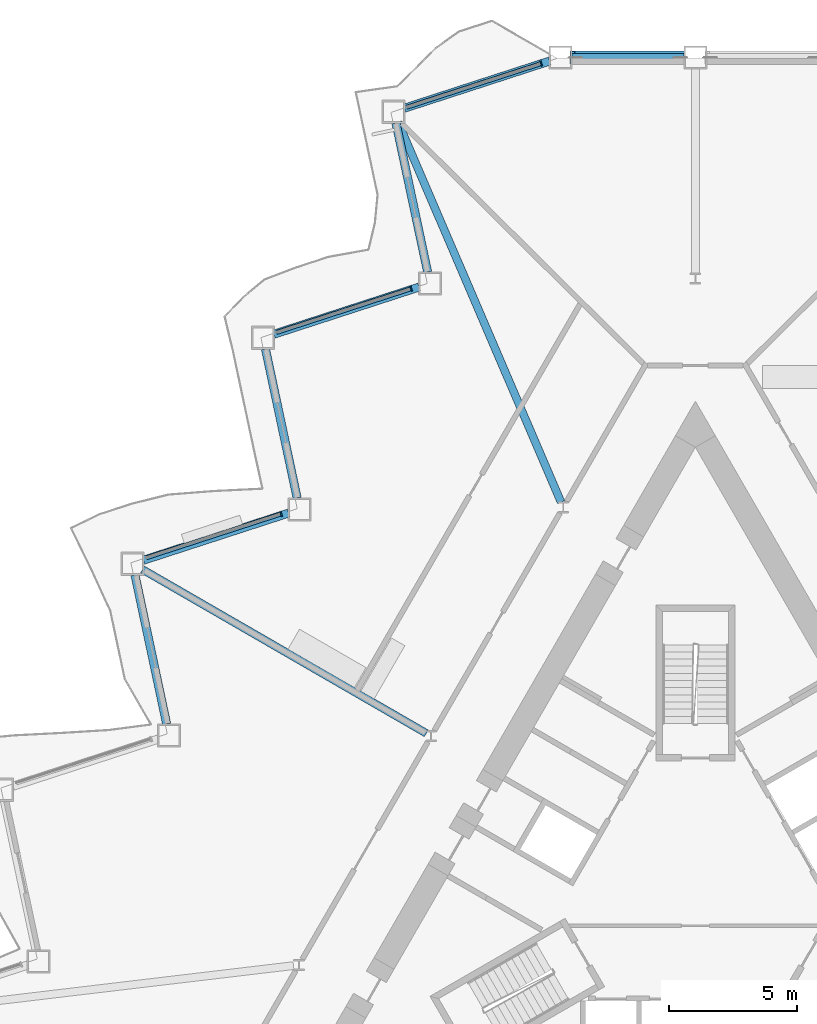
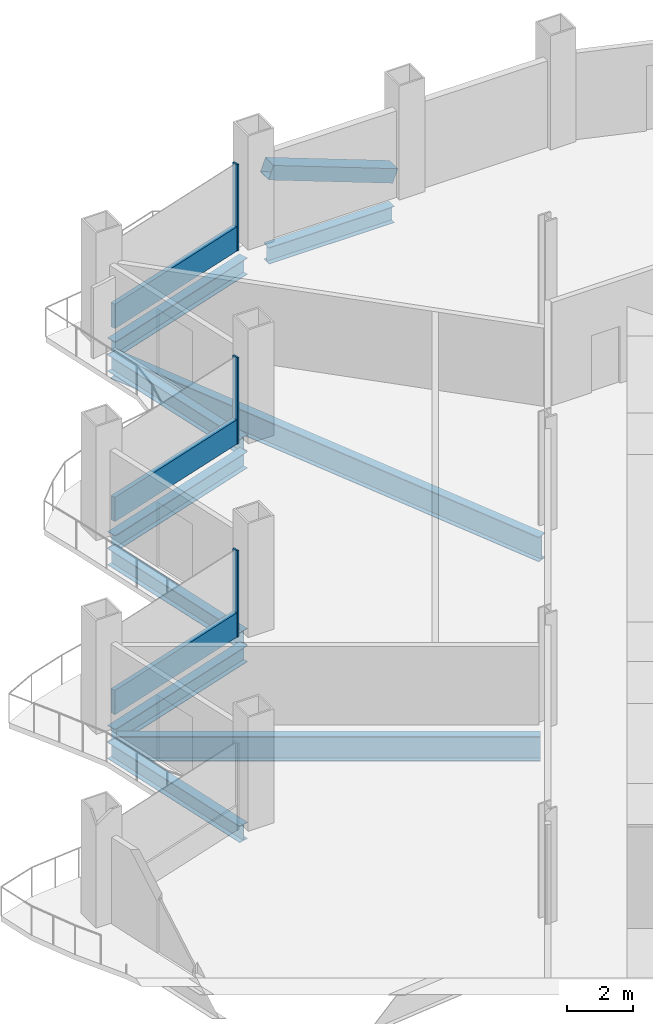
# One storey, part 7 of 21: 9 beams, 7 members, 3 elements without a shape of their own.
"""IFC4 building model written with IfcOpenShell, lengths in metres."""

from ifc_helpers import new_model, si_unit, direction, frame, origin, origin_2d, place, context, subcontext, project, spatial, rectangle, hollow_rectangle, i_section, extrude, material, layer, layer_set, material_profile, profile_set, type_object, element, aggregate, save


model = new_model("IFC4")

# Units and contexts
model_context = context("Model", 3, precision=1e-05, world=origin(), true_north=direction((0.0, 1.0)))
body_context = subcontext(model_context, "Body", "Model", "MODEL_VIEW")
ifc_project = project(units=[si_unit("LENGTHUNIT", "METRE"), si_unit("AREAUNIT", "SQUARE_METRE"), si_unit("VOLUMEUNIT", "CUBIC_METRE"), si_unit("PLANEANGLEUNIT", "RADIAN"), si_unit("MASSUNIT", "GRAM", prefix="KILO")], contexts=[model_context])

# Site, building, storey
site_placement = place(None, origin())
site = spatial("IfcSite", under=ifc_project, at=site_placement, CompositionType="ELEMENT")
building_placement = place(site_placement, origin())
building = spatial("IfcBuilding", under=site, at=building_placement, Name="Cormorant Prow Tower", CompositionType="ELEMENT")
storey_placement = place(building_placement, frame((0.0, 0.0, 145.800048828125)))
storey = spatial("IfcBuildingStorey", under=building, at=storey_placement, Name="L31", CompositionType="ELEMENT", Elevation=145.800048828125)

# Member
ifc_material_1 = material(Name="Structural steel ASTM A500 Gr C", Category="steel")
ifc_material_profile_1 = material_profile(ifc_material_1, hollow_rectangle(XDim=0.508056640625, YDim=0.508056640625, WallThickness=0.014892578125, at=origin_2d()), Name="HSS20x20x5/8")
ifc_profile_set_1 = profile_set([ifc_material_profile_1], Name="Structural steel ASTM A500 Gr C")
member_type_1 = type_object("IfcMemberType", Name="Chamfer brace HSS20x20x5/8", PredefinedType="BRACE", material=ifc_profile_set_1)
member_1_placement = place(storey_placement, frame((-0.4677734375, 32.487060546875, 0.776611328125), z_axis=(-0.935582009332, 0.0, 0.353109478511), x_axis=(0.0, -1.0, 0.0)))
element("IfcMember", 1, at=member_1_placement, inside=storey, type_object=member_type_1, Name="Chamfer brace BR1 at N01 L31", PredefinedType="BRACE", context=body_context, shape_type="SweptSolid", body=[
    extrude(hollow_rectangle(XDim=0.508056640625, YDim=0.508056640625, WallThickness=0.014892578125, at=origin_2d()), origin(), (0.0, 0.0, 1.0), 4.63232421875),
])

# Curtain wall, member
ifc_material_2 = material(Name="Aluminium 6063-T6", Category="aluminium")
ifc_layer = layer(ifc_material_2, 0.199951171875)
ifc_layer_set = layer_set([ifc_layer], Name="Aluminium 6063-T6")
curtain_wall_type = type_object("IfcCurtainWallType", Name="Office unitised curtain wall 200", PredefinedType="NOTDEFINED", material=ifc_layer_set)
curtain_wall_1_placement = place(storey_placement, origin())
curtain_wall_1 = element("IfcCurtainWall", 2, at=curtain_wall_1_placement, inside=storey, type_object=curtain_wall_type, Name="Office curtain wall WNW00", PredefinedType="NOTDEFINED")
ifc_material_3 = material(Name="Aluminium 6063-T6", Category="aluminium")
ifc_material_profile_2 = material_profile(ifc_material_3, rectangle(XDim=0.199951171875, YDim=0.06005859375, at=origin_2d()), Name="Office mullion 60x200")
ifc_profile_set_2 = profile_set([ifc_material_profile_2], Name="Aluminium 6063-T6")
member_type_2 = type_object("IfcMemberType", Name="Office mullion 60x200", PredefinedType="MULLION", material=ifc_profile_set_2)
member_2_placement = place(storey_placement, frame((-6.03125, 32.248291015625, 0.0), z_axis=(0.0, 0.0, 1.0), x_axis=(0.30901701036, -0.951056511101, 0.0)))
member_2 = element("IfcMember", 3, at=member_2_placement, type_object=member_type_2, Name="Office mullion WNW00", PredefinedType="MULLION", context=body_context, shape_type="SweptSolid", body=[
    extrude(rectangle(XDim=0.199951171875, YDim=0.06005859375, at=origin_2d()), origin(), (0.0, 0.0, 1.0), 3.18896484375),
])

curtain_wall_2_placement = place(storey_placement, origin())
curtain_wall_2 = element("IfcCurtainWall", 4, at=curtain_wall_2_placement, inside=storey, type_object=curtain_wall_type, Name="Office curtain wall WNW02", PredefinedType="NOTDEFINED")
member_3_placement = place(storey_placement, frame((-11.112548828125, 23.447021484375, 0.0), z_axis=(0.0, 0.0, 1.0), x_axis=(0.30901701036, -0.951056511101, 0.0)))
member_3 = element("IfcMember", 5, at=member_3_placement, type_object=member_type_2, Name="Office mullion WNW02", PredefinedType="MULLION", context=body_context, shape_type="SweptSolid", body=[
    extrude(rectangle(XDim=0.199951171875, YDim=0.06005859375, at=origin_2d()), origin(), (0.0, 0.0, 1.0), 3.18896484375),
])

curtain_wall_3_placement = place(storey_placement, origin())
curtain_wall_3 = element("IfcCurtainWall", 6, at=curtain_wall_3_placement, inside=storey, type_object=curtain_wall_type, Name="Office curtain wall WNW04", PredefinedType="NOTDEFINED")
member_4_placement = place(storey_placement, frame((-16.194091796875, 14.645751953125, 0.0), z_axis=(0.0, 0.0, 1.0), x_axis=(0.30901701036, -0.951056511101, 0.0)))
member_4 = element("IfcMember", 7, at=member_4_placement, type_object=member_type_2, Name="Office mullion WNW04", PredefinedType="MULLION", context=body_context, shape_type="SweptSolid", body=[
    extrude(rectangle(XDim=0.199951171875, YDim=0.06005859375, at=origin_2d()), origin(), (0.0, 0.0, 1.0), 3.18896484375),
])

# Member
ifc_material_4 = material(Name="Terracotta", Category="masonry")
ifc_material_profile_3 = material_profile(ifc_material_4, rectangle(XDim=0.159912109375, YDim=0.89990234375, at=origin_2d()), Name="Office terracotta spandrel rail 160x900")
ifc_profile_set_3 = profile_set([ifc_material_profile_3], Name="Terracotta")
member_type_3 = type_object("IfcMemberType", Name="Office terracotta spandrel rail 160x900", PredefinedType="USERDEFINED", material=ifc_profile_set_3)
member_5_placement = place(storey_placement, frame((-6.059814453125, 32.239013671875, 0.449951171875), z_axis=(-0.951054921763, -0.309021901798, 0.0), x_axis=(0.309021901798, -0.951054921763, 0.0)))
member_5 = element("IfcMember", 8, at=member_5_placement, type_object=member_type_3, Name="Office spandrel rail WNW00", ObjectType="TRANSOM", PredefinedType="USERDEFINED", context=body_context, shape_type="SweptSolid", body=[
    extrude(rectangle(XDim=0.159912109375, YDim=0.89990234375, at=origin_2d()), origin(), (0.0, 0.0, 1.0), 5.505859375),
])

aggregate(curtain_wall_1, [member_2, member_5])

member_6_placement = place(storey_placement, frame((-11.14111328125, 23.437744140625, 0.449951171875), z_axis=(-0.951054921763, -0.309021901798, 0.0), x_axis=(0.309021901798, -0.951054921763, 0.0)))
member_6 = element("IfcMember", 9, at=member_6_placement, type_object=member_type_3, Name="Office spandrel rail WNW02", ObjectType="TRANSOM", PredefinedType="USERDEFINED", context=body_context, shape_type="SweptSolid", body=[
    extrude(rectangle(XDim=0.159912109375, YDim=0.89990234375, at=origin_2d()), origin(), (0.0, 0.0, 1.0), 5.505859375),
])

aggregate(curtain_wall_2, [member_3, member_6])

member_7_placement = place(storey_placement, frame((-16.22265625, 14.636474609375, 0.449951171875), z_axis=(-0.951054921763, -0.309021901798, 0.0), x_axis=(0.309021901798, -0.951054921763, 0.0)))
member_7 = element("IfcMember", 10, at=member_7_placement, type_object=member_type_3, Name="Office spandrel rail WNW04", ObjectType="TRANSOM", PredefinedType="USERDEFINED", context=body_context, shape_type="SweptSolid", body=[
    extrude(rectangle(XDim=0.159912109375, YDim=0.89990234375, at=origin_2d()), origin(), (0.0, 0.0, 1.0), 5.505859375),
])

aggregate(curtain_wall_3, [member_4, member_7])

# Beams
ifc_material_5 = material(Name="Structural steel ASTM A992 Gr 50", Category="steel")
ifc_material_profile_4 = material_profile(ifc_material_5, i_section(OverallWidth=0.3046875, OverallDepth=0.914794921875, WebThickness=0.0166015625, FlangeThickness=0.02587890625, at=origin_2d()), Name="W36x160")
ifc_profile_set_4 = profile_set([ifc_material_profile_4], Name="Structural steel ASTM A992 Gr 50")
beam_type_1 = type_object("IfcBeamType", Name="Radial floor beam W36x160", PredefinedType="BEAM", material=ifc_profile_set_4)
beam_1_placement = place(storey_placement, frame((-5.25, 15.107666015625, -0.857421875), z_axis=(-0.394273140268, 0.918993302948, 0.0), x_axis=(-0.918993302948, -0.394273140268, 0.0)))
element("IfcBeam", 11, at=beam_1_placement, inside=storey, type_object=beam_type_1, Name="Radial floor beam FB1 2 L31", PredefinedType="BEAM", context=body_context, shape_type="SweptSolid", body=[
    extrude(i_section(OverallWidth=0.3046875, OverallDepth=0.914794921875, WebThickness=0.0166015625, FlangeThickness=0.02587890625, at=origin_2d()), origin(), (0.0, 0.0, 1.0), 16.153564453125),
])
beam_2_placement = place(storey_placement, frame((-10.516845703125, 6.07177734375, -0.857421875), z_axis=(-0.866021760006, 0.500006311156, 0.0), x_axis=(-0.500006311156, -0.866021760006, 0.0)))
element("IfcBeam", 12, at=beam_2_placement, inside=storey, type_object=beam_type_1, Name="Radial floor beam FB1 3 L31", PredefinedType="BEAM", context=body_context, shape_type="SweptSolid", body=[
    extrude(i_section(OverallWidth=0.3046875, OverallDepth=0.914794921875, WebThickness=0.0166015625, FlangeThickness=0.02587890625, at=origin_2d()), origin(), (0.0, 0.0, 1.0), 12.805419921875),
])
ifc_material_6 = material(Name="Structural steel ASTM A992 Gr 50", Category="steel")
ifc_material_profile_5 = material_profile(ifc_material_6, i_section(OverallWidth=0.32373046875, OverallDepth=0.611083984375, WebThickness=0.0126953125, FlangeThickness=0.01904296875, at=origin_2d()), Name="W24x104")
ifc_profile_set_5 = profile_set([ifc_material_profile_5], Name="Structural steel ASTM A992 Gr 50")
beam_type_2 = type_object("IfcBeamType", Name="Spandrel beam W24x104", PredefinedType="SPANDREL", material=ifc_profile_set_5)
beam_3_placement = place(storey_placement, frame((-0.449951171875, 32.487060546875, -0.70556640625), z_axis=(-1.0, 0.0, 0.0), x_axis=(0.0, -1.0, 0.0)))
element("IfcBeam", 13, at=beam_3_placement, inside=storey, type_object=beam_type_2, Name="Spandrel beam SB1 N01-WNW00 L31", PredefinedType="SPANDREL", context=body_context, shape_type="SweptSolid", body=[
    extrude(i_section(OverallWidth=0.32373046875, OverallDepth=0.611083984375, WebThickness=0.0126953125, FlangeThickness=0.01904296875, at=origin_2d()), origin(), (0.0, 0.0, 1.0), 4.36962890625),
])
beam_4_placement = place(storey_placement, frame((-5.69775390625, 32.347900390625, -0.70556640625), z_axis=(-0.951055430656, -0.309020335608, 0.0), x_axis=(0.309020335608, -0.951055430656, 0.0)))
element("IfcBeam", 14, at=beam_4_placement, inside=storey, type_object=beam_type_2, Name="Spandrel beam SB1 WNW00-WNW01 L31", PredefinedType="SPANDREL", context=body_context, shape_type="SweptSolid", body=[
    extrude(i_section(OverallWidth=0.32373046875, OverallDepth=0.611083984375, WebThickness=0.0126953125, FlangeThickness=0.01904296875, at=origin_2d()), origin(), (0.0, 0.0, 1.0), 5.96240234375),
])
beam_5_placement = place(storey_placement, frame((-11.702880859375, 29.926025390625, -0.70556640625), z_axis=(0.207920947907, -0.978145633033, 0.0), x_axis=(0.978145633033, 0.207920947907, 0.0)))
element("IfcBeam", 15, at=beam_5_placement, inside=storey, type_object=beam_type_2, Name="Spandrel beam SB1 WNW01-WNW02 L31", PredefinedType="SPANDREL", context=body_context, shape_type="SweptSolid", body=[
    extrude(i_section(OverallWidth=0.32373046875, OverallDepth=0.611083984375, WebThickness=0.0126953125, FlangeThickness=0.01904296875, at=origin_2d()), origin(), (0.0, 0.0, 1.0), 5.962646484375),
])
beam_6_placement = place(storey_placement, frame((-10.797607421875, 23.5146484375, -0.70556640625), z_axis=(-0.95104730696, -0.309045336358, 0.0), x_axis=(0.309045336358, -0.95104730696, 0.0)))
element("IfcBeam", 16, at=beam_6_placement, inside=storey, type_object=beam_type_2, Name="Spandrel beam SB1 WNW02-WNW03 L31", PredefinedType="SPANDREL", context=body_context, shape_type="SweptSolid", body=[
    extrude(i_section(OverallWidth=0.32373046875, OverallDepth=0.611083984375, WebThickness=0.0126953125, FlangeThickness=0.01904296875, at=origin_2d()), origin(), (0.0, 0.0, 1.0), 5.962890625),
])
for number, where, z_axis, x_axis, name in (
    (17, (-16.802734375, 21.0927734375, -0.70556640625), (0.207920947907, -0.978145633033, 0.0), (0.978145633033, 0.207920947907, 0.0), "Spandrel beam SB1 WNW03-WNW04 L31"),
    (18, (-15.8974609375, 14.68115234375, -0.70556640625), (-0.951059340519, -0.309008302174, 0.0), (0.309008302174, -0.951059340519, 0.0), "Spandrel beam SB1 WNW04-WNW05 L31"),
):
    element("IfcBeam", number, at=place(storey_placement, frame(where, z_axis=z_axis, x_axis=x_axis)), inside=storey, type_object=beam_type_2, Name=name, PredefinedType="SPANDREL", context=body_context, shape_type="SweptSolid", body=[
        extrude(i_section(OverallWidth=0.32373046875, OverallDepth=0.611083984375, WebThickness=0.0126953125, FlangeThickness=0.01904296875, at=origin_2d()), origin(), (0.0, 0.0, 1.0), 5.962646484375),
    ])
beam_7_placement = place(storey_placement, frame((-21.90283203125, 12.259521484375, -0.70556640625), z_axis=(0.207912620873, -0.978147403044, 0.0), x_axis=(0.978147403044, 0.207912620873, 0.0)))
element("IfcBeam", 19, at=beam_7_placement, inside=storey, type_object=beam_type_2, Name="Spandrel beam SB1 WNW05-WNW06 L31", PredefinedType="SPANDREL", context=body_context, shape_type="SweptSolid", body=[
    extrude(i_section(OverallWidth=0.32373046875, OverallDepth=0.611083984375, WebThickness=0.0126953125, FlangeThickness=0.01904296875, at=origin_2d()), origin(), (0.0, 0.0, 1.0), 5.962890625),
])

save(model, "model.ifc")
